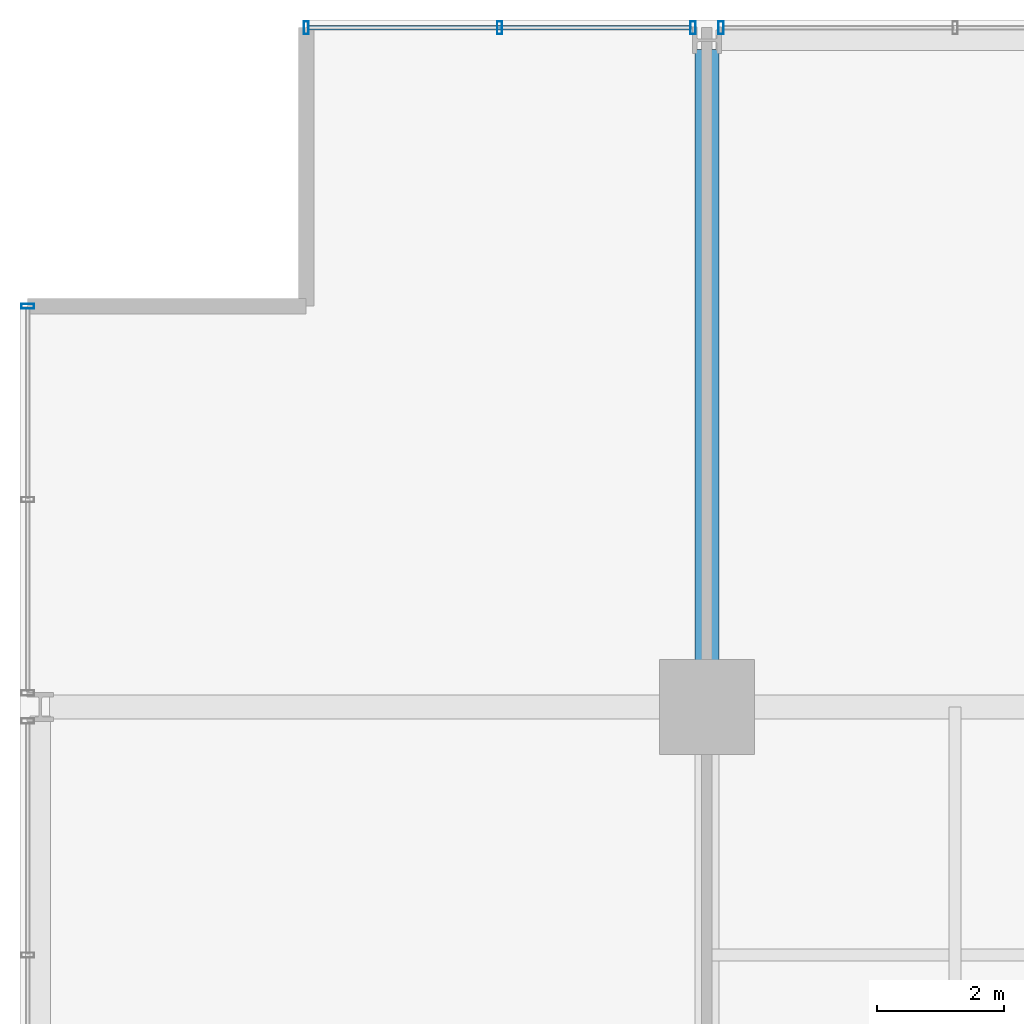
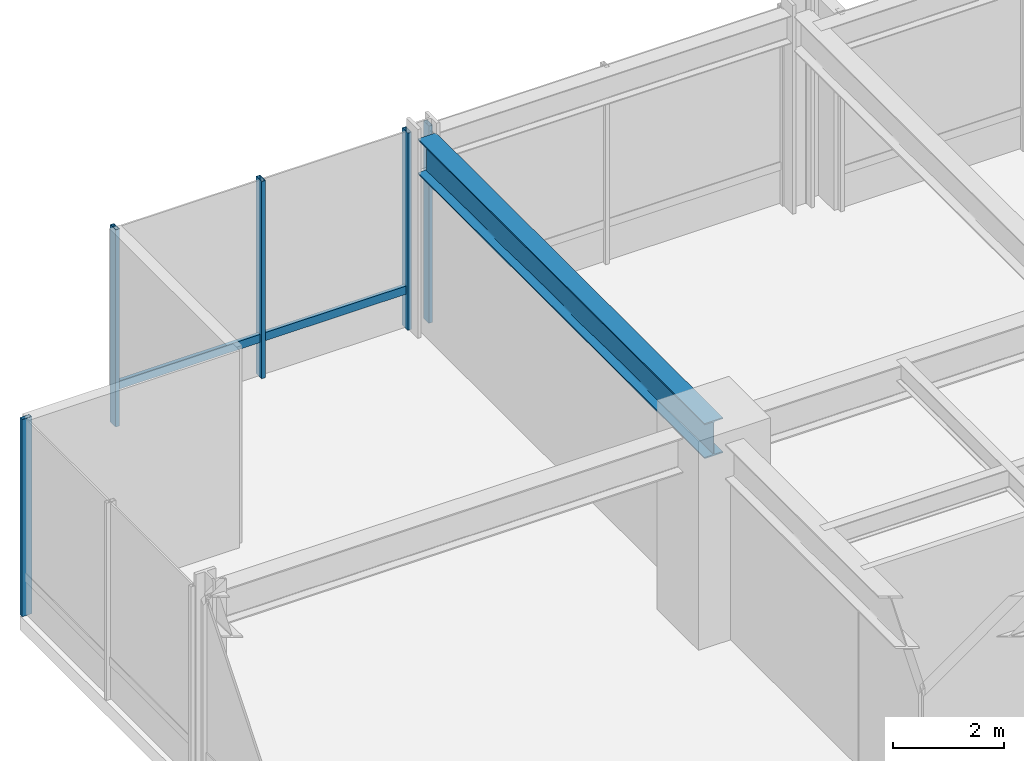
# One storey, part 20 of 33: 6 members, 1 beam, 3 elements without a shape of their own.
"""IFC4 building model written with IfcOpenShell, lengths in metres."""

from ifc_helpers import new_model, si_unit, direction, frame, origin, origin_2d, place, context, subcontext, project, spatial, hollow_rectangle, i_section, extrude, material, layer, layer_set, material_profile, profile_set, type_object, element, aggregate, save


model = new_model("IFC4")

# Units and contexts
model_context = context("Model", 3, precision=1e-05, world=origin(), true_north=direction((0.0, 1.0)))
body_context = subcontext(model_context, "Body", "Model", "MODEL_VIEW")
ifc_project = project(units=[si_unit("LENGTHUNIT", "METRE"), si_unit("AREAUNIT", "SQUARE_METRE"), si_unit("VOLUMEUNIT", "CUBIC_METRE"), si_unit("PLANEANGLEUNIT", "RADIAN"), si_unit("MASSUNIT", "GRAM", prefix="KILO")], contexts=[model_context])

# Site, building, storey
site_placement = place(None, origin())
site = spatial("IfcSite", under=ifc_project, at=site_placement, CompositionType="ELEMENT")
building_placement = place(site_placement, origin())
building = spatial("IfcBuilding", under=site, at=building_placement, Name="Drelvath Grand Hotel", CompositionType="ELEMENT")
storey_placement = place(building_placement, frame((0.0, 0.0, 87.199951171875)))
storey = spatial("IfcBuildingStorey", under=building, at=storey_placement, Name="L21", CompositionType="ELEMENT", Elevation=87.199951171875)

# Curtain wall, member
ifc_material_1 = material(Name="Champagne Bronze Anodised Aluminium Frame", Category="aluminium")
ifc_layer = layer(ifc_material_1, 0.199951171875)
ifc_layer_set = layer_set([ifc_layer], Name="Champagne Bronze Anodised Aluminium Frame")
curtain_wall_type = type_object("IfcCurtainWallType", Name="Stick Curtain Wall CW-03 Champagne Bronze Mid-Rise", PredefinedType="NOTDEFINED", material=ifc_layer_set)
curtain_wall_1_placement = place(storey_placement, origin())
curtain_wall_1 = element("IfcCurtainWall", 1, at=curtain_wall_1_placement, inside=storey, type_object=curtain_wall_type, Name="L21 CW-03 Curtain Wall CW03-L21-NW1", PredefinedType="NOTDEFINED")
ifc_material_profile_1 = material_profile(ifc_material_1, hollow_rectangle(XDim=0.074951171875, YDim=0.179931640625, WallThickness=0.0048828125, at=origin_2d()), Name="HSS180X75X5")
ifc_profile_set_1 = profile_set([ifc_material_profile_1], Name="Champagne Bronze Anodised Aluminium Frame")
member_type_1 = type_object("IfcMemberType", Name="Curtain Wall Horizontal Transom CW-03 HSS180X75X5", PredefinedType="USERDEFINED", material=ifc_profile_set_1)
member_1_placement = place(storey_placement, frame((-22.4599609375, 53.8798828125, 0.85009765625), z_axis=(1.0, 0.0, 0.0), x_axis=(0.0, 1.0, 0.0)))
member_1 = element("IfcMember", 2, at=member_1_placement, type_object=member_type_1, Name="CW03-L21-NW1 Sill Transom", ObjectType="TRANSOM", PredefinedType="USERDEFINED", context=body_context, shape_type="SweptSolid", body=[
    extrude(hollow_rectangle(XDim=0.074951171875, YDim=0.179931640625, WallThickness=0.0048828125, at=origin_2d()), origin(), (0.0, 0.0, 1.0), 6.000244140625),
])

curtain_wall_2_placement = place(storey_placement, origin())
curtain_wall_2 = element("IfcCurtainWall", 3, at=curtain_wall_2_placement, inside=storey, type_object=curtain_wall_type, Name="L21 CW-03 Curtain Wall CW03-L21-WN3", PredefinedType="NOTDEFINED")
ifc_material_profile_2 = material_profile(ifc_material_1, hollow_rectangle(XDim=0.080078125, YDim=0.199951171875, WallThickness=0.0048828125, at=origin_2d()), Name="HSS200X80X5")
ifc_profile_set_2 = profile_set([ifc_material_profile_2], Name="Champagne Bronze Anodised Aluminium Frame")
member_type_2 = type_object("IfcMemberType", Name="Curtain Wall Vertical Mullion CW-03 HSS200X80X5", PredefinedType="MULLION", material=ifc_profile_set_2)
member_2_placement = place(storey_placement, frame((-26.8798828125, 49.5, 0.0), z_axis=(0.0, 0.0, 1.0), x_axis=(0.0, 1.0, 0.0)))
member_2 = element("IfcMember", 4, at=member_2_placement, type_object=member_type_2, Name="CW03-L21-WN3 Mullion 3", PredefinedType="MULLION", context=body_context, shape_type="SweptSolid", body=[
    extrude(hollow_rectangle(XDim=0.080078125, YDim=0.199951171875, WallThickness=0.0048828125, at=origin_2d()), origin(), (0.0, 0.0, 1.0), 4.340087890625),
])
aggregate(curtain_wall_2, [member_2])

# Member
member_3_placement = place(storey_placement, frame((-22.5, 53.8798828125, 0.0), z_axis=(0.0, 0.0, 1.0), x_axis=(1.0, 0.0, 0.0)))
member_3 = element("IfcMember", 5, at=member_3_placement, type_object=member_type_2, Name="CW03-L21-NW1 Mullion 1", PredefinedType="MULLION", context=body_context, shape_type="SweptSolid", body=[
    extrude(hollow_rectangle(XDim=0.080078125, YDim=0.199951171875, WallThickness=0.0048828125, at=origin_2d()), origin(), (0.0, 0.0, 1.0), 4.340087890625),
])

member_4_placement = place(storey_placement, frame((-19.459716796875, 53.8798828125, 0.0), z_axis=(0.0, 0.0, 1.0), x_axis=(1.0, 0.0, 0.0)))
member_4 = element("IfcMember", 6, at=member_4_placement, type_object=member_type_2, Name="CW03-L21-NW1 Mullion 2", PredefinedType="MULLION", context=body_context, shape_type="SweptSolid", body=[
    extrude(hollow_rectangle(XDim=0.080078125, YDim=0.199951171875, WallThickness=0.0048828125, at=origin_2d()), origin(), (0.0, 0.0, 1.0), 4.340087890625),
])

member_5_placement = place(storey_placement, frame((-16.419677734375, 53.8798828125, 0.0), z_axis=(0.0, 0.0, 1.0), x_axis=(1.0, 0.0, 0.0)))
member_5 = element("IfcMember", 7, at=member_5_placement, type_object=member_type_2, Name="CW03-L21-NW1 Mullion 3", PredefinedType="MULLION", context=body_context, shape_type="SweptSolid", body=[
    extrude(hollow_rectangle(XDim=0.080078125, YDim=0.199951171875, WallThickness=0.0048828125, at=origin_2d()), origin(), (0.0, 0.0, 1.0), 4.340087890625),
])

aggregate(curtain_wall_1, [member_3, member_4, member_5, member_1])

# Curtain wall, member
curtain_wall_3_placement = place(storey_placement, origin())
curtain_wall_3 = element("IfcCurtainWall", 8, at=curtain_wall_3_placement, inside=storey, type_object=curtain_wall_type, Name="L21 CW-03 Curtain Wall CW03-L21-NW2", PredefinedType="NOTDEFINED")
member_6_placement = place(storey_placement, frame((-15.98046875, 53.8798828125, 0.0), z_axis=(0.0, 0.0, 1.0), x_axis=(1.0, 0.0, 0.0)))
member_6 = element("IfcMember", 9, at=member_6_placement, type_object=member_type_2, Name="CW03-L21-NW2 Mullion 1", PredefinedType="MULLION", context=body_context, shape_type="SweptSolid", body=[
    extrude(hollow_rectangle(XDim=0.080078125, YDim=0.199951171875, WallThickness=0.0048828125, at=origin_2d()), origin(), (0.0, 0.0, 1.0), 4.340087890625),
])
aggregate(curtain_wall_3, [member_6])

# Beam
ifc_material_2 = material(Name="Steel ASTM A992 Gr 50", Category="steel")
ifc_material_profile_3 = material_profile(ifc_material_2, i_section(OverallWidth=0.380615234375, OverallDepth=0.773193359375, WebThickness=0.0166015625, FlangeThickness=0.027099609375, FilletRadius=0.02490234375, at=origin_2d()), Name="W30X173")
ifc_profile_set_3 = profile_set([ifc_material_profile_3], Name="Steel ASTM A992 Gr 50")
beam_type = type_object("IfcBeamType", Name="Primary Floor Girder W30X173", PredefinedType="BEAM", material=ifc_profile_set_3)
beam_placement = place(storey_placement, frame((-16.199951171875, 43.199951171875, 3.953369140625), z_axis=(0.0, 1.0, 0.0), x_axis=(-1.0, 0.0, 0.0)))
element("IfcBeam", 10, at=beam_placement, inside=storey, type_object=beam_type, Name="L21 North Grid Girder 3", PredefinedType="BEAM", context=body_context, shape_type="SweptSolid", body=[
    extrude(i_section(OverallWidth=0.380615234375, OverallDepth=0.773193359375, WebThickness=0.0166015625, FlangeThickness=0.027099609375, FilletRadius=0.02490234375, at=origin_2d()), origin(), (0.0, 0.0, 1.0), 10.340087890625),
])

save(model, "model.ifc")
